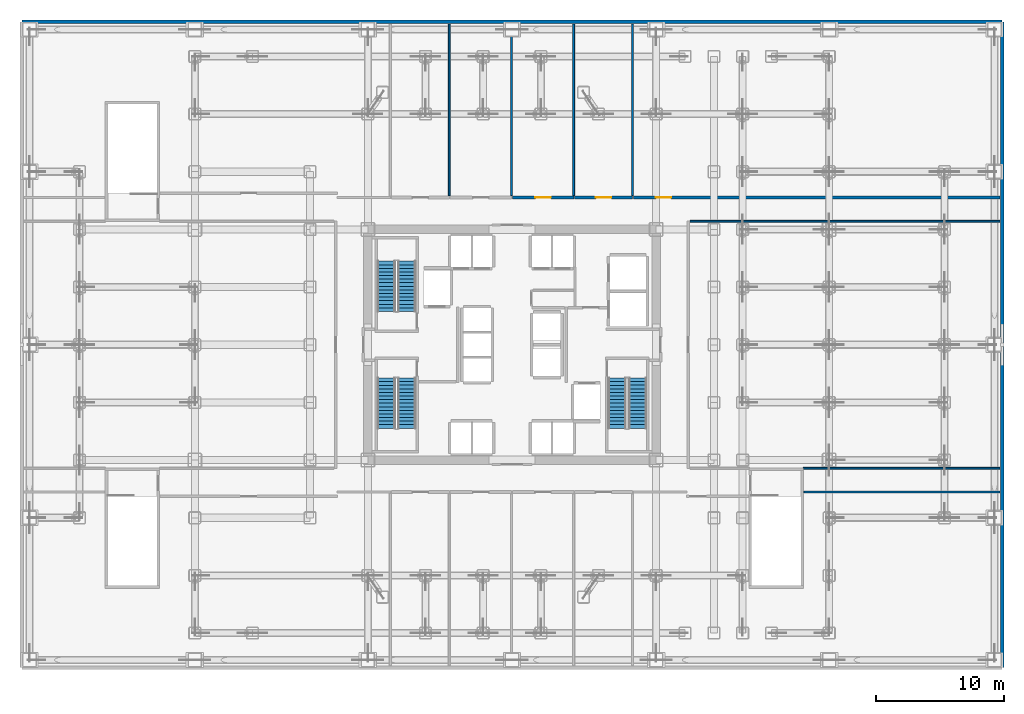
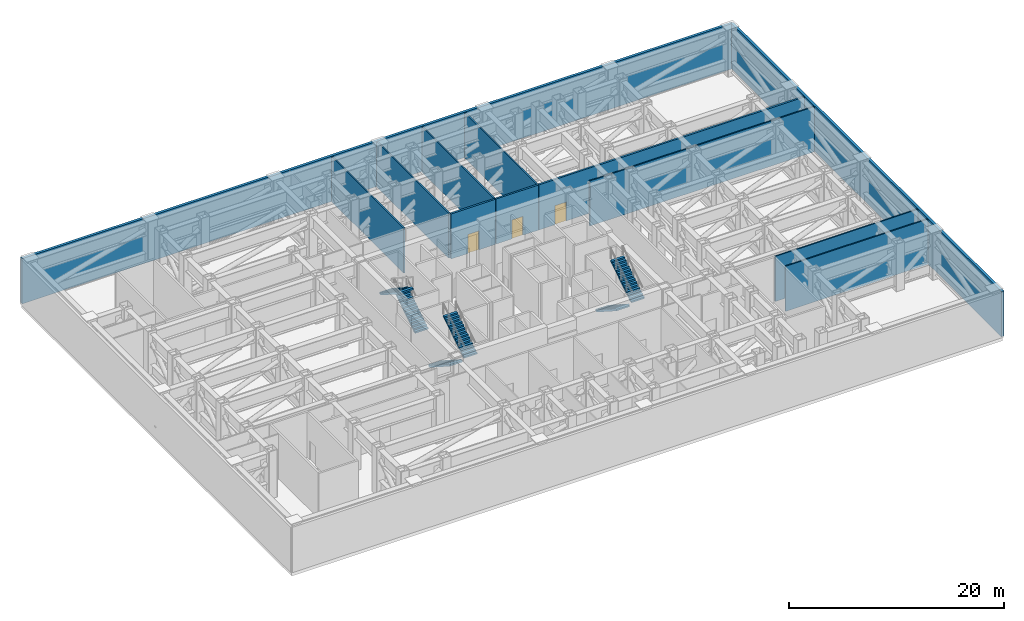
# One storey, part 13 of 17: 12 walls, 6 stair flights, 3 doors, 3 openings, 3 elements without a shape of their own.
"""IFC4 building model written with IfcOpenShell, lengths in metres."""

from ifc_helpers import new_model, si_unit, direction, frame, frame_2d, origin, place, context, subcontext, project, spatial, polyline, rectangle, outline, extrude, source, transform, mapped, material, layer, layer_set, type_object, element, fill, aggregate, save


model = new_model("IFC4")

# Units and contexts
model_context = context("Model", 3, precision=1e-05, world=origin(), true_north=direction((0.0, 1.0)))
body_context = subcontext(model_context, "Body", "Model", "MODEL_VIEW")
ifc_project = project(units=[si_unit("LENGTHUNIT", "METRE"), si_unit("AREAUNIT", "SQUARE_METRE"), si_unit("VOLUMEUNIT", "CUBIC_METRE"), si_unit("PLANEANGLEUNIT", "RADIAN"), si_unit("MASSUNIT", "GRAM", prefix="KILO")], contexts=[model_context])

# Site, building, storey
site_placement = place(None, origin())
site = spatial("IfcSite", under=ifc_project, at=site_placement, CompositionType="ELEMENT")
building_placement = place(site_placement, origin())
building = spatial("IfcBuilding", under=site, at=building_placement, Name="Nefas-Gora Pilgrimage Tower", CompositionType="ELEMENT")
storey_placement = place(building_placement, frame((0.0, 0.0, 27.60009765625)))
storey = spatial("IfcBuildingStorey", under=building, at=storey_placement, Name="L05", CompositionType="ELEMENT", Elevation=27.60009765625)

# Walls
ifc_material_1 = material(Name="Precast concrete C45/55", Category="concrete")
ifc_layer_1 = layer(ifc_material_1, 0.280029296875)
ifc_layer_set_1 = layer_set([ifc_layer_1], Name="Precast concrete C45/55")
wall_type_1 = type_object("IfcWallType", Name="EW-PLANT-280", PredefinedType="SOLIDWALL", material=ifc_layer_set_1)
shared_shape_1 = source(origin(), body_context, "Body", "SweptSolid", [
    extrude(rectangle(XDim=50.39990234375, YDim=0.280029296875, at=frame_2d((25.199951171875, 0.0))), origin(), (0.0, 0.0, 1.0), 5.14990234375),
])
wall_1_placement = place(storey_placement, frame((38.25, -25.199951171875, 0.0), z_axis=(0.0, 0.0, 1.0), x_axis=(0.0, 1.0, 0.0)))
element("IfcWall", 1, at=wall_1_placement, inside=storey, type_object=wall_type_1, Name="L05 Transfer Deck Precast Spandrel Cladding 1", PredefinedType="SOLIDWALL", context=body_context, shape_type="MappedRepresentation", body=[
    mapped(shared_shape_1, transform((0.0, 0.0, 0.0), x_axis=(1.0, 0.0, 0.0), y_axis=(0.0, 1.0, 0.0), z_axis=(0.0, 0.0, 1.0), scale=1.0)),
])
shared_shape_2 = source(origin(), body_context, "Body", "SweptSolid", [
    extrude(rectangle(XDim=76.5, YDim=0.280029296875, at=frame_2d((38.25, 0.0))), origin(), (0.0, 0.0, 1.0), 5.14990234375),
])
wall_2_placement = place(storey_placement, frame((38.25, 25.199951171875, 0.0), z_axis=(0.0, 0.0, 1.0), x_axis=(-1.0, 0.0, 0.0)))
element("IfcWall", 2, at=wall_2_placement, inside=storey, type_object=wall_type_1, Name="L05 Transfer Deck Precast Spandrel Cladding 2", PredefinedType="SOLIDWALL", context=body_context, shape_type="MappedRepresentation", body=[
    mapped(shared_shape_2, transform((0.0, 0.0, 0.0), x_axis=(1.0, 0.0, 0.0), y_axis=(0.0, 1.0, 0.0), z_axis=(0.0, 0.0, 1.0), scale=1.0)),
])
ifc_material_2 = material(Name="Gypsum twin-stud partition")
ifc_layer_2 = layer(ifc_material_2, 0.139892578125)
ifc_layer_set_2 = layer_set([ifc_layer_2], Name="Gypsum twin-stud partition")
wall_type_2 = type_object("IfcWallType", Name="IW-UNIT-140", PredefinedType="PARTITIONING", material=ifc_layer_set_2)
shared_shape_3 = source(origin(), body_context, "Body", "SweptSolid", [
    extrude(rectangle(XDim=15.324951171875, YDim=0.139892578125, at=frame_2d((7.66259765625, 0.0))), origin(), (0.0, 0.0, 1.0), 5.135009765625),
])
wall_3_placement = place(storey_placement, frame((22.7451171875, -9.6298828125, 0.0), z_axis=(0.0, 0.0, 1.0), x_axis=(1.0, 0.0, 0.0)))
element("IfcWall", 3, at=wall_3_placement, inside=storey, type_object=wall_type_2, Name="L05 Refuge Area East Partition Wall 26", PredefinedType="PARTITIONING", context=body_context, shape_type="MappedRepresentation", body=[
    mapped(shared_shape_3, transform((0.0, 0.0, 0.0), x_axis=(1.0, 0.0, 0.0), y_axis=(0.0, 1.0, 0.0), z_axis=(0.0, 0.0, 1.0), scale=1.0)),
])
shared_shape_4 = source(origin(), body_context, "Body", "SweptSolid", [
    extrude(rectangle(XDim=24.18017578125, YDim=0.139892578125, at=frame_2d((12.090087890625, 0.0))), origin(), (0.0, 0.0, 1.0), 5.135009765625),
])
wall_4_placement = place(storey_placement, frame((13.889892578125, 9.6298828125, 0.0), z_axis=(0.0, 0.0, 1.0), x_axis=(1.0, 0.0, 0.0)))
element("IfcWall", 4, at=wall_4_placement, inside=storey, type_object=wall_type_2, Name="L05 Refuge Area East Partition Wall 27", PredefinedType="PARTITIONING", context=body_context, shape_type="MappedRepresentation", body=[
    mapped(shared_shape_4, transform((0.0, 0.0, 0.0), x_axis=(1.0, 0.0, 0.0), y_axis=(0.0, 1.0, 0.0), z_axis=(0.0, 0.0, 1.0), scale=1.0)),
])

# Wall, opening, door
ifc_material_3 = material(Name="Concrete C40/50", Category="concrete")
ifc_layer_3 = layer(ifc_material_3, 0.199951171875)
ifc_layer_set_3 = layer_set([ifc_layer_3], Name="Concrete C40/50")
wall_type_3 = type_object("IfcWallType", Name="IW-PLANT-200", PredefinedType="SOLIDWALL", material=ifc_layer_set_3)
shared_shape_5 = source(origin(), body_context, "Body", "SweptSolid", [
    extrude(rectangle(XDim=4.5400390625, YDim=0.199951171875, at=frame_2d((2.27001953125, 0.0))), origin(), (0.0, 0.0, 1.0), 5.135009765625),
])
wall_5_placement = place(storey_placement, frame((4.8798828125, 11.489990234375, 0.0), z_axis=(0.0, 0.0, 1.0), x_axis=(1.0, 0.0, 0.0)))
wall_5 = element("IfcWall", 5, at=wall_5_placement, inside=storey, type_object=wall_type_3, Name="L05 Building Automation and Controls Plant Room Partition Wall 38", PredefinedType="SOLIDWALL", context=body_context, shape_type="MappedRepresentation", body=[
    mapped(shared_shape_5, transform((0.0, 0.0, 0.0), x_axis=(1.0, 0.0, 0.0), y_axis=(0.0, 1.0, 0.0), z_axis=(0.0, 0.0, 1.0), scale=1.0)),
])
opening_1_placement = place(wall_5_placement, frame((1.669921875, 0.0, 0.0)))
opening_1 = element("IfcOpeningElement", 6, at=opening_1_placement, cuts=wall_5, Name="Opening ID-PL1", PredefinedType="OPENING", context=body_context, shape_type="SweptSolid", body=[
    extrude(rectangle(XDim=1.199951171875, YDim=2.14990234375, at=frame_2d((0.60009765625, 1.074951171875))), frame((0.0, 0.10986328125, 0.0), z_axis=(0.0, -1.0, 0.0), x_axis=(1.0, 0.0, 0.0)), (0.0, 0.0, 1.0), 0.219970703125),
])
ifc_material_4 = material(Name="Heavy-duty steel plant room fire door", Category="steel")
door_type = type_object("IfcDoorType", Name="DR-INT-PLANT-1200", OperationType="NOTDEFINED", PredefinedType="DOOR", material=ifc_material_4)
shared_shape_6 = source(origin(), body_context, "Body", "SweptSolid", [
    extrude(rectangle(XDim=1.199951171875, YDim=2.14990234375, at=frame_2d((0.60009765625, 1.074951171875))), frame((0.0, 0.02490234375, 0.0), z_axis=(0.0, -1.0, 0.0), x_axis=(1.0, 0.0, 0.0)), (0.0, 0.0, 1.0), 0.050048828125),
])
door_1_placement = place(opening_1_placement, origin())
door_1 = element("IfcDoor", 7, at=door_1_placement, inside=storey, type_object=door_type, Name="L05 Building Automation and Controls Plant Room Door 13", OperationType="SINGLE_SWING_LEFT", OverallHeight=2.14990234375, OverallWidth=1.199951171875, PredefinedType="DOOR", context=body_context, shape_type="MappedRepresentation", body=[
    mapped(shared_shape_6, transform((0.0, 0.0, 0.0), x_axis=(1.0, 0.0, 0.0), y_axis=(0.0, 1.0, 0.0), z_axis=(0.0, 0.0, 1.0), scale=1.0)),
])
fill(opening_1, door_1)

# Walls
shared_shape_7 = source(origin(), body_context, "Body", "SweptSolid", [
    extrude(rectangle(XDim=13.39013671875, YDim=0.139892578125, at=frame_2d((6.695068359375, 0.0))), origin(), (0.0, 0.0, 1.0), 5.135009765625),
])
for number, where, z_axis, x_axis, name in (
    (8, (-4.889892578125, 11.6298828125, 0.0), (0.0, 0.0, 1.0), (0.0, 1.0, 0.0), "L05 Condenser Water Pump Plant Room Partition Wall 33"),
    (9, (-0.0400390625, 11.6298828125, 0.0), (0.0, 0.0, 1.0), (0.0, 1.0, 0.0), "L05 Plate Heat Exchanger Plant Room Partition Wall 35"),
    (10, (4.81005859375, 11.6298828125, 0.0), (0.0, 0.0, 1.0), (0.0, 1.0, 0.0), "L05 High-Altitude Heat-Recovery AHU Plant Room Partition Wall 37"),
    (11, (9.409912109375, 11.6298828125, 0.0), (0.0, 0.0, 1.0), (0.0, 1.0, 0.0), "L05 Building Automation and Controls Plant Room Partition Wall 39"),
):
    element("IfcWall", number, at=place(storey_placement, frame(where, z_axis=z_axis, x_axis=x_axis)), inside=storey, type_object=wall_type_2, Name=name, PredefinedType="PARTITIONING", context=body_context, shape_type="MappedRepresentation", body=[
        mapped(shared_shape_7, transform((0.0, 0.0, 0.0), x_axis=(1.0, 0.0, 0.0), y_axis=(0.0, 1.0, 0.0), z_axis=(0.0, 0.0, 1.0), scale=1.0)),
    ])

# Wall, opening, door
shared_shape_8 = source(origin(), body_context, "Body", "SweptSolid", [
    extrude(rectangle(XDim=4.7900390625, YDim=0.199951171875, at=frame_2d((2.39501953125, 0.0))), origin(), (0.0, 0.0, 1.0), 5.135009765625),
])
wall_6_placement = place(storey_placement, frame((0.030029296875, 11.489990234375, 0.0), z_axis=(0.0, 0.0, 1.0), x_axis=(1.0, 0.0, 0.0)))
wall_6 = element("IfcWall", 12, at=wall_6_placement, inside=storey, type_object=wall_type_3, Name="L05 High-Altitude Heat-Recovery AHU Plant Room Partition Wall 36", PredefinedType="SOLIDWALL", context=body_context, shape_type="MappedRepresentation", body=[
    mapped(shared_shape_8, transform((0.0, 0.0, 0.0), x_axis=(1.0, 0.0, 0.0), y_axis=(0.0, 1.0, 0.0), z_axis=(0.0, 0.0, 1.0), scale=1.0)),
])
opening_2_placement = place(wall_6_placement, frame((1.794921875, 0.0, 0.0)))
opening_2 = element("IfcOpeningElement", 13, at=opening_2_placement, cuts=wall_6, Name="Opening ID-PL1", PredefinedType="OPENING", context=body_context, shape_type="SweptSolid", body=[
    extrude(rectangle(XDim=1.199951171875, YDim=2.14990234375, at=frame_2d((0.60009765625, 1.074951171875))), frame((0.0, 0.10986328125, 0.0), z_axis=(0.0, -1.0, 0.0), x_axis=(1.0, 0.0, 0.0)), (0.0, 0.0, 1.0), 0.219970703125),
])
door_2_placement = place(opening_2_placement, origin())
door_2 = element("IfcDoor", 14, at=door_2_placement, inside=storey, type_object=door_type, Name="L05 High-Altitude Heat-Recovery AHU Plant Room Door 12", OperationType="SINGLE_SWING_RIGHT", OverallHeight=2.14990234375, OverallWidth=1.199951171875, PredefinedType="DOOR", context=body_context, shape_type="MappedRepresentation", body=[
    mapped(shared_shape_6, transform((0.0, 0.0, 0.0), x_axis=(1.0, 0.0, 0.0), y_axis=(0.0, 1.0, 0.0), z_axis=(0.0, 0.0, 1.0), scale=1.0)),
])
fill(opening_2, door_2)

shared_shape_9 = source(origin(), body_context, "Body", "SweptSolid", [
    extrude(rectangle(XDim=28.590087890625, YDim=0.199951171875, at=frame_2d((14.294921875, 0.0))), origin(), (0.0, 0.0, 1.0), 5.135009765625),
])
wall_7_placement = place(storey_placement, frame((9.47998046875, 11.489990234375, 0.0), z_axis=(0.0, 0.0, 1.0), x_axis=(1.0, 0.0, 0.0)))
wall_7 = element("IfcWall", 15, at=wall_7_placement, inside=storey, type_object=wall_type_3, Name="L05 MV Transformer and Switchgear Plant Room Partition Wall 40", PredefinedType="SOLIDWALL", context=body_context, shape_type="MappedRepresentation", body=[
    mapped(shared_shape_9, transform((0.0, 0.0, 0.0), x_axis=(1.0, 0.0, 0.0), y_axis=(0.0, 1.0, 0.0), z_axis=(0.0, 0.0, 1.0), scale=1.0)),
])
opening_3_placement = place(wall_7_placement, frame((1.739013671875, 0.0, 0.0)))
opening_3 = element("IfcOpeningElement", 16, at=opening_3_placement, cuts=wall_7, Name="Opening ID-PL1", PredefinedType="OPENING", context=body_context, shape_type="SweptSolid", body=[
    extrude(rectangle(XDim=1.199951171875, YDim=2.14990234375, at=frame_2d((0.60009765625, 1.074951171875))), frame((0.0, 0.10986328125, 0.0), z_axis=(0.0, -1.0, 0.0), x_axis=(1.0, 0.0, 0.0)), (0.0, 0.0, 1.0), 0.219970703125),
])
door_3_placement = place(opening_3_placement, origin())
door_3 = element("IfcDoor", 17, at=door_3_placement, inside=storey, type_object=door_type, Name="L05 MV Transformer and Switchgear Plant Room Door 14", OperationType="SINGLE_SWING_RIGHT", OverallHeight=2.14990234375, OverallWidth=1.199951171875, PredefinedType="DOOR", context=body_context, shape_type="MappedRepresentation", body=[
    mapped(shared_shape_6, transform((0.0, 0.0, 0.0), x_axis=(1.0, 0.0, 0.0), y_axis=(0.0, 1.0, 0.0), z_axis=(0.0, 0.0, 1.0), scale=1.0)),
])
fill(opening_3, door_3)

# Wall
shared_shape_10 = source(origin(), body_context, "Body", "SweptSolid", [
    extrude(rectangle(XDim=15.2900390625, YDim=0.139892578125, at=frame_2d((7.64501953125, 0.0))), origin(), (0.0, 0.0, 1.0), 5.135009765625),
])
wall_8_placement = place(storey_placement, frame((22.780029296875, -11.489990234375, 0.0), z_axis=(0.0, 0.0, 1.0), x_axis=(1.0, 0.0, 0.0)))
element("IfcWall", 18, at=wall_8_placement, inside=storey, type_object=wall_type_2, Name="L05 Emergency Smoke Extract Fan Plant Room Partition Wall 55", PredefinedType="PARTITIONING", context=body_context, shape_type="MappedRepresentation", body=[
    mapped(shared_shape_10, transform((0.0, 0.0, 0.0), x_axis=(1.0, 0.0, 0.0), y_axis=(0.0, 1.0, 0.0), z_axis=(0.0, 0.0, 1.0), scale=1.0)),
])

# Stair, stair flights
ifc_material_5 = material(Name="Concrete C45/55", Category="concrete")
stair_type = type_object("IfcStairType", Name="STR-1400-R1800", PredefinedType="HALF_TURN_STAIR", material=ifc_material_5)
stair_1_placement = place(storey_placement, origin())
stair_1 = element("IfcStair", 19, at=stair_1_placement, inside=storey, type_object=stair_type, Name="L05 Pressurised Tower Exit Stair ST-01", PredefinedType="HALF_TURN_STAIR")
stair_flight_type = type_object("IfcStairFlightType", Name="STF-1400-R1800", PredefinedType="STRAIGHT", material=ifc_material_5)
shared_shape_11 = source(origin(), body_context, "Body", "SweptSolid", [
    extrude(outline(polyline([(0.0, 0.0), (0.0, 0.179931640625), (0.280029296875, 0.179931640625), (0.280029296875, 0.360107421875), (0.56005859375, 0.360107421875), (0.56005859375, 0.5400390625), (0.840087890625, 0.5400390625), (0.840087890625, 0.719970703125), (1.1201171875, 0.719970703125), (1.1201171875, 0.89990234375), (1.39990234375, 0.89990234375), (1.39990234375, 1.080078125), (1.679931640625, 1.080078125), (1.679931640625, 1.260009765625), (1.9599609375, 1.260009765625), (1.9599609375, 1.43994140625), (2.239990234375, 1.43994140625), (2.239990234375, 1.6201171875), (2.52001953125, 1.6201171875), (2.52001953125, 1.800048828125), (2.800048828125, 1.800048828125), (2.800048828125, 1.97998046875), (3.080078125, 1.97998046875), (3.080078125, 2.159912109375), (3.360107421875, 2.159912109375), (3.360107421875, 2.340087890625), (3.639892578125, 2.340087890625), (3.639892578125, 2.52001953125), (3.919921875, 2.52001953125), (3.919921875, 2.699951171875), (3.919921875, 2.341796875), (0.277099609375, 0.0), (0.0, 0.0)])), frame((0.0, 0.699951171875, 0.0), z_axis=(0.0, -1.0, 0.0), x_axis=(1.0, 0.0, 0.0)), (0.0, 0.0, 1.0), 1.39990234375),
])
stair_flight_1_placement = place(storey_placement, frame((-8.199951171875, 2.60009765625, 0.0), z_axis=(0.0, 0.0, 1.0), x_axis=(0.0, 1.0, 0.0)))
stair_flight_1 = element("IfcStairFlight", 20, at=stair_flight_1_placement, type_object=stair_flight_type, Name="ST-01 flight 1", NumberOfRisers=15, NumberOfTreads=14, PredefinedType="STRAIGHT", RiserHeight=0.18, TreadLength=0.28, context=body_context, shape_type="MappedRepresentation", body=[
    mapped(shared_shape_11, transform((0.0, 0.0, 0.0), x_axis=(1.0, 0.0, 0.0), y_axis=(0.0, 1.0, 0.0), z_axis=(0.0, 0.0, 1.0), scale=1.0)),
])
stair_flight_2_placement = place(storey_placement, frame((-9.800048828125, 6.52001953125, 2.699951171875), z_axis=(0.0, 0.0, 1.0), x_axis=(0.0, -1.0, 0.0)))
stair_flight_2 = element("IfcStairFlight", 21, at=stair_flight_2_placement, type_object=stair_flight_type, Name="ST-01 flight 2", NumberOfRisers=15, NumberOfTreads=14, PredefinedType="STRAIGHT", RiserHeight=0.18, TreadLength=0.28, context=body_context, shape_type="MappedRepresentation", body=[
    mapped(shared_shape_11, transform((0.0, 0.0, 0.0), x_axis=(1.0, 0.0, 0.0), y_axis=(0.0, 1.0, 0.0), z_axis=(0.0, 0.0, 1.0), scale=1.0)),
])
aggregate(stair_1, [stair_flight_1, stair_flight_2])

stair_2_placement = place(storey_placement, origin())
stair_2 = element("IfcStair", 22, at=stair_2_placement, inside=storey, type_object=stair_type, Name="L05 Pressurised Tower Exit Stair ST-02", PredefinedType="HALF_TURN_STAIR")
stair_flight_3_placement = place(storey_placement, frame((8.199951171875, -2.60009765625, 0.0), z_axis=(0.0, 0.0, 1.0), x_axis=(0.0, -1.0, 0.0)))
stair_flight_3 = element("IfcStairFlight", 23, at=stair_flight_3_placement, type_object=stair_flight_type, Name="ST-02 flight 1", NumberOfRisers=15, NumberOfTreads=14, PredefinedType="STRAIGHT", RiserHeight=0.18, TreadLength=0.28, context=body_context, shape_type="MappedRepresentation", body=[
    mapped(shared_shape_11, transform((0.0, 0.0, 0.0), x_axis=(1.0, 0.0, 0.0), y_axis=(0.0, 1.0, 0.0), z_axis=(0.0, 0.0, 1.0), scale=1.0)),
])
stair_flight_4_placement = place(storey_placement, frame((9.800048828125, -6.52001953125, 2.699951171875), z_axis=(0.0, 0.0, 1.0), x_axis=(0.0, 1.0, 0.0)))
stair_flight_4 = element("IfcStairFlight", 24, at=stair_flight_4_placement, type_object=stair_flight_type, Name="ST-02 flight 2", NumberOfRisers=15, NumberOfTreads=14, PredefinedType="STRAIGHT", RiserHeight=0.18, TreadLength=0.28, context=body_context, shape_type="MappedRepresentation", body=[
    mapped(shared_shape_11, transform((0.0, 0.0, 0.0), x_axis=(1.0, 0.0, 0.0), y_axis=(0.0, 1.0, 0.0), z_axis=(0.0, 0.0, 1.0), scale=1.0)),
])
aggregate(stair_2, [stair_flight_3, stair_flight_4])

stair_3_placement = place(storey_placement, origin())
stair_3 = element("IfcStair", 25, at=stair_3_placement, inside=storey, type_object=stair_type, Name="L05 Pressurised Tower Exit Stair ST-03", PredefinedType="HALF_TURN_STAIR")
stair_flight_5_placement = place(storey_placement, frame((-9.800048828125, -2.60009765625, 0.0), z_axis=(0.0, 0.0, 1.0), x_axis=(0.0, -1.0, 0.0)))
stair_flight_5 = element("IfcStairFlight", 26, at=stair_flight_5_placement, type_object=stair_flight_type, Name="ST-03 flight 1", NumberOfRisers=15, NumberOfTreads=14, PredefinedType="STRAIGHT", RiserHeight=0.18, TreadLength=0.28, context=body_context, shape_type="MappedRepresentation", body=[
    mapped(shared_shape_11, transform((0.0, 0.0, 0.0), x_axis=(1.0, 0.0, 0.0), y_axis=(0.0, 1.0, 0.0), z_axis=(0.0, 0.0, 1.0), scale=1.0)),
])
stair_flight_6_placement = place(storey_placement, frame((-8.199951171875, -6.52001953125, 2.699951171875), z_axis=(0.0, 0.0, 1.0), x_axis=(0.0, 1.0, 0.0)))
stair_flight_6 = element("IfcStairFlight", 27, at=stair_flight_6_placement, type_object=stair_flight_type, Name="ST-03 flight 2", NumberOfRisers=15, NumberOfTreads=14, PredefinedType="STRAIGHT", RiserHeight=0.18, TreadLength=0.28, context=body_context, shape_type="MappedRepresentation", body=[
    mapped(shared_shape_11, transform((0.0, 0.0, 0.0), x_axis=(1.0, 0.0, 0.0), y_axis=(0.0, 1.0, 0.0), z_axis=(0.0, 0.0, 1.0), scale=1.0)),
])
aggregate(stair_3, [stair_flight_5, stair_flight_6])

save(model, "model.ifc")
